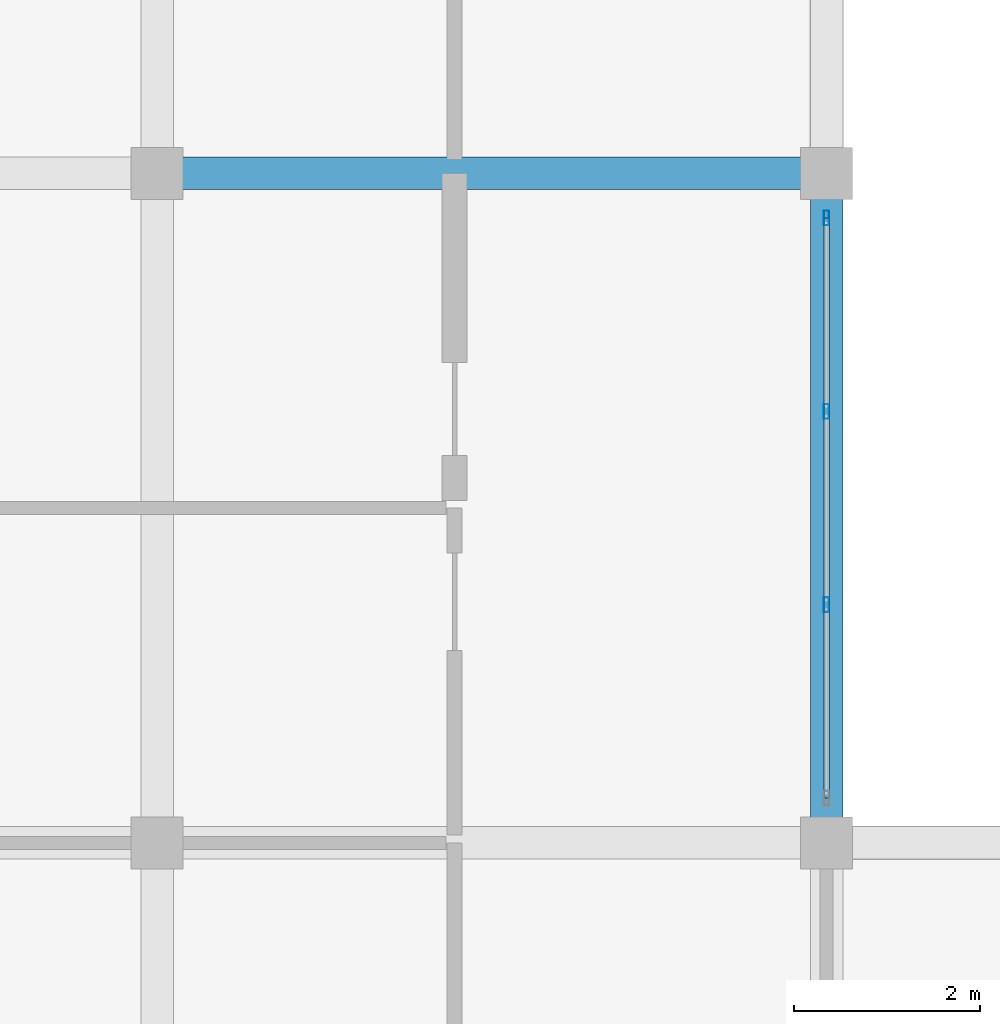
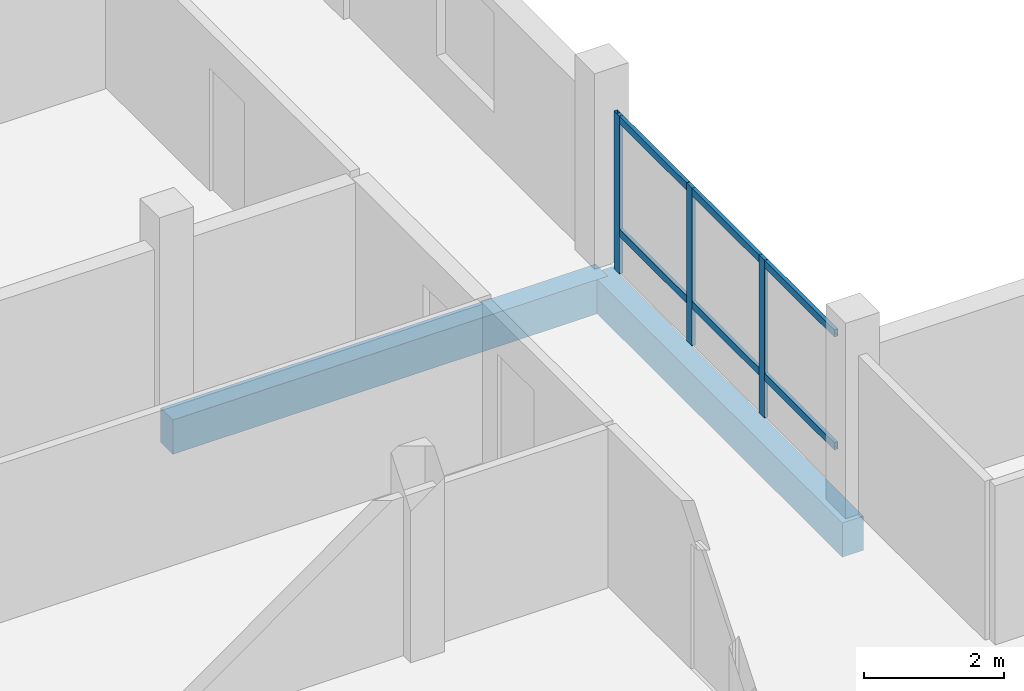
# One storey, part 8 of 66: 5 members, 2 beams, 1 element without a shape of its own.
"""IFC4 building model written with IfcOpenShell, lengths in metres."""

from ifc_helpers import new_model, si_unit, direction, frame, origin, origin_2d, place, context, subcontext, project, spatial, rectangle, hollow_rectangle, extrude, material, material_profile, profile_set, type_object, element, aggregate, save


model = new_model("IFC4")

# Units and contexts
model_context = context("Model", 3, precision=1e-05, world=origin(), true_north=direction((0.0, 1.0)))
body_context = subcontext(model_context, "Body", "Model", "MODEL_VIEW")
ifc_project = project(units=[si_unit("LENGTHUNIT", "METRE"), si_unit("AREAUNIT", "SQUARE_METRE"), si_unit("VOLUMEUNIT", "CUBIC_METRE"), si_unit("PLANEANGLEUNIT", "RADIAN"), si_unit("MASSUNIT", "GRAM", prefix="KILO")], contexts=[model_context])

# Site, building, storey
site_placement = place(None, origin())
site = spatial("IfcSite", under=ifc_project, at=site_placement, CompositionType="ELEMENT")
building_placement = place(site_placement, origin())
building = spatial("IfcBuilding", under=site, at=building_placement, Name="Zornivar Specialist Clinic", CompositionType="ELEMENT")
storey_placement = place(building_placement, frame((0.0, 0.0, 16.0)))
storey = spatial("IfcBuildingStorey", under=building, at=storey_placement, Name="L04", CompositionType="ELEMENT", Elevation=16.0)

# Beams
ifc_material_1 = material(Name="Concrete C30/37", Category="concrete")
ifc_material_profile_1 = material_profile(ifc_material_1, rectangle(XDim=0.35009765625, YDim=0.60009765625, at=origin_2d()), Name="RC 350x600")
ifc_profile_set_1 = profile_set([ifc_material_profile_1], Name="Concrete C30/37")
beam_type = type_object("IfcBeamType", Name="BM-RC-350x600", PredefinedType="BEAM", material=ifc_profile_set_1)
beam_1_placement = place(storey_placement, frame((7.199951171875, 21.60009765625, -0.580078125), z_axis=(1.0, 0.0, 0.0), x_axis=(0.0, 1.0, 0.0)))
element("IfcBeam", 1, at=beam_1_placement, inside=storey, type_object=beam_type, Name="bm:V2:L04:x:216:1", PredefinedType="BEAM", context=body_context, shape_type="SweptSolid", body=[
    extrude(rectangle(XDim=0.35009765625, YDim=0.60009765625, at=origin_2d()), origin(), (0.0, 0.0, 1.0), 7.199951171875),
])
beam_2_placement = place(storey_placement, frame((14.39990234375, 14.39990234375, -0.580078125), z_axis=(0.0, 1.0, 0.0), x_axis=(-1.0, 0.0, 0.0)))
element("IfcBeam", 2, at=beam_2_placement, inside=storey, type_object=beam_type, Name="bm:V2:L04:y:144:2", PredefinedType="BEAM", context=body_context, shape_type="SweptSolid", body=[
    extrude(rectangle(XDim=0.35009765625, YDim=0.60009765625, at=origin_2d()), origin(), (0.0, 0.0, 1.0), 7.2001953125),
])

# Curtain wall, members
ifc_material_2 = material(Name="Aluminium and Low-E Glass Curtain Wall", Category="aluminium")
curtain_wall_type = type_object("IfcCurtainWallType", Name="CW-REVAK-COURT", PredefinedType="NOTDEFINED", material=ifc_material_2)
curtain_wall_placement = place(storey_placement, origin())
curtain_wall = element("IfcCurtainWall", 3, at=curtain_wall_placement, inside=storey, type_object=curtain_wall_type, Name="cw:V2:L04:12", PredefinedType="NOTDEFINED")
ifc_material_3 = material(Name="Aluminium AW-6060", Category="aluminium")
ifc_material_profile_2 = material_profile(ifc_material_3, hollow_rectangle(XDim=0.06005859375, YDim=0.159912109375, WallThickness=0.00390625, at=origin_2d()), Name="ALU 60x160x4")
ifc_profile_set_2 = profile_set([ifc_material_profile_2], Name="Aluminium AW-6060")
member_type_1 = type_object("IfcMemberType", Name="CWM-MUL-160", PredefinedType="MULLION", material=ifc_profile_set_2)
member_1_placement = place(storey_placement, frame((14.39990234375, 16.9599609375, 0.0), z_axis=(0.0, 0.0, 1.0), x_axis=(1.0, 0.0, 0.0)))
member_1 = element("IfcMember", 4, at=member_1_placement, type_object=member_type_1, Name="cw:V2:L04:12:mul:1", PredefinedType="MULLION", context=body_context, shape_type="SweptSolid", body=[
    extrude(hollow_rectangle(XDim=0.06005859375, YDim=0.159912109375, WallThickness=0.00390625, at=origin_2d()), origin(), (0.0, 0.0, 1.0), 2.760009765625),
])
member_2_placement = place(storey_placement, frame((14.39990234375, 19.0400390625, 0.0), z_axis=(0.0, 0.0, 1.0), x_axis=(1.0, 0.0, 0.0)))
member_2 = element("IfcMember", 5, at=member_2_placement, type_object=member_type_1, Name="cw:V2:L04:12:mul:2", PredefinedType="MULLION", context=body_context, shape_type="SweptSolid", body=[
    extrude(hollow_rectangle(XDim=0.06005859375, YDim=0.159912109375, WallThickness=0.00390625, at=origin_2d()), origin(), (0.0, 0.0, 1.0), 2.760009765625),
])
member_3_placement = place(storey_placement, frame((14.39990234375, 21.1201171875, 0.0), z_axis=(0.0, 0.0, 1.0), x_axis=(1.0, 0.0, 0.0)))
member_3 = element("IfcMember", 6, at=member_3_placement, type_object=member_type_1, Name="cw:V2:L04:12:mul:3", PredefinedType="MULLION", context=body_context, shape_type="SweptSolid", body=[
    extrude(hollow_rectangle(XDim=0.06005859375, YDim=0.159912109375, WallThickness=0.00390625, at=origin_2d()), origin(), (0.0, 0.0, 1.0), 2.760009765625),
])
ifc_material_4 = material(Name="Aluminium AW-6060", Category="aluminium")
ifc_material_profile_3 = material_profile(ifc_material_4, hollow_rectangle(XDim=0.06005859375, YDim=0.1298828125, WallThickness=0.00390625, at=origin_2d()), Name="ALU 60x130x4")
ifc_profile_set_3 = profile_set([ifc_material_profile_3], Name="Aluminium AW-6060")
member_type_2 = type_object("IfcMemberType", Name="CWM-TRN-130", PredefinedType="USERDEFINED", material=ifc_profile_set_3)
member_4_placement = place(storey_placement, frame((14.39990234375, 14.8798828125, 0.718017578125), z_axis=(0.0, 1.0, 0.0), x_axis=(-1.0, 0.0, 0.0)))
member_4 = element("IfcMember", 7, at=member_4_placement, type_object=member_type_2, Name="cw:V2:L04:12:trn:0", ObjectType="TRANSOM", PredefinedType="USERDEFINED", context=body_context, shape_type="SweptSolid", body=[
    extrude(hollow_rectangle(XDim=0.06005859375, YDim=0.1298828125, WallThickness=0.00390625, at=origin_2d()), origin(), (0.0, 0.0, 1.0), 6.240234375),
])
member_5_placement = place(storey_placement, frame((14.39990234375, 14.8798828125, 2.695068359375), z_axis=(0.0, 1.0, 0.0), x_axis=(-1.0, 0.0, 0.0)))
member_5 = element("IfcMember", 8, at=member_5_placement, type_object=member_type_2, Name="cw:V2:L04:12:trn:1", ObjectType="TRANSOM", PredefinedType="USERDEFINED", context=body_context, shape_type="SweptSolid", body=[
    extrude(hollow_rectangle(XDim=0.06005859375, YDim=0.1298828125, WallThickness=0.00390625, at=origin_2d()), origin(), (0.0, 0.0, 1.0), 6.240234375),
])
aggregate(curtain_wall, [member_1, member_2, member_3, member_4, member_5])

save(model, "model.ifc")
